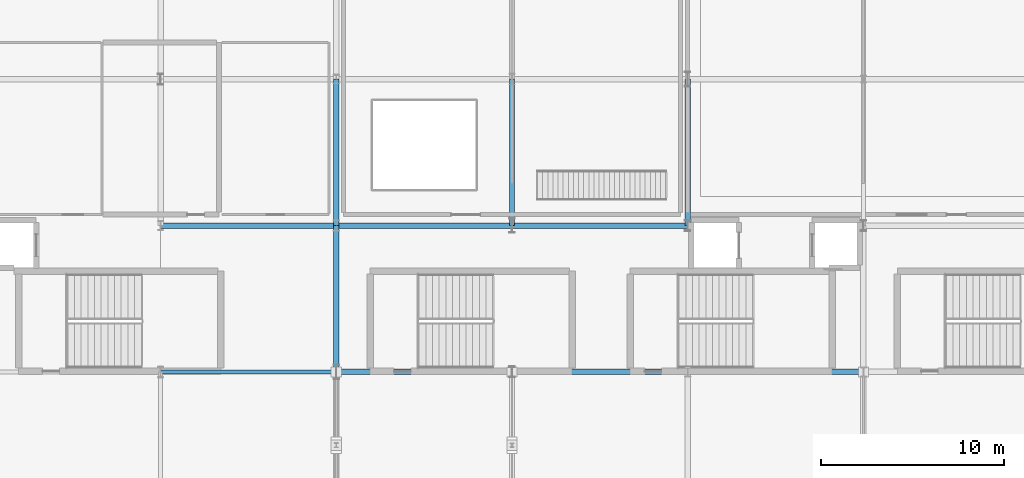
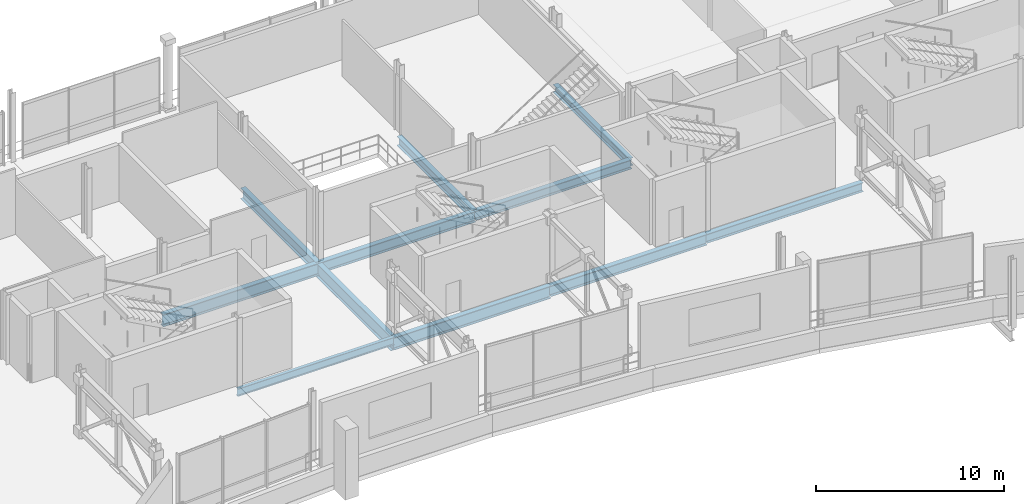
# One storey, part 38 of 193: 11 beams.
"""IFC4 building model written with IfcOpenShell, lengths in metres."""

import ifcopenshell
import ifcopenshell.guid

model = None  # the IFC model being written
_history = None  # IfcOwnerHistory: only IFC2X3 demands one
_inside = {}  # id of a spatial element -> (the spatial element, [elements in it])
_under = {}  # id of a project, library or spatial element -> (it, [spatial elements below it])
_declared = {}  # id of a project -> (the project, [libraries it declares])
_typed = {}  # id of a type object -> (the type object, [elements of that type])
_made_of = {}  # id of a material, layer set ... -> (it, [elements and type objects made of it])


def new_model(schema):
    """Start an empty IFC model of exactly this schema.

    Asked for "IFC4X3", IfcOpenShell would pick the latest addendum, in which some entities
    have other attributes; the version numbers below select the first issue.
    IFC2X3 requires an IfcOwnerHistory on every rooted entity: one is made here for all.
    """
    global model, _history
    if schema == "IFC4X3":
        model = ifcopenshell.file(schema_version=(4, 3, 0, 0))
    else:
        model = ifcopenshell.file(schema=schema)
    _inside.clear()
    _under.clear()
    _declared.clear()
    _typed.clear()
    _made_of.clear()
    _history = None
    if model.schema == "IFC2X3":
        org = make("IfcOrganization", Name="unknown")
        user = make(
            "IfcPersonAndOrganization",
            ThePerson=make("IfcPerson", FamilyName="unknown"),
            TheOrganization=org,
        )
        app = make(
            "IfcApplication",
            ApplicationDeveloper=org,
            Version="unknown",
            ApplicationFullName="unknown",
            ApplicationIdentifier="unknown",
        )
        _history = make(
            "IfcOwnerHistory",
            OwningUser=user,
            OwningApplication=app,
            ChangeAction="ADDED",
            CreationDate=0,
        )
    return model


def make(cls, **values):
    """One entity of the class cls with the attributes given. An attribute that is None is left unset."""
    return model.create_entity(
        cls, **{name: value for name, value in values.items() if value is not None}
    )


def rooted(cls, **values):
    """An entity with a GlobalId (a new one), such as an element, a storey or a relation."""
    return make(cls, GlobalId=ifcopenshell.guid.new(), OwnerHistory=_history, **values)


def si_unit(unit_type, name, prefix=None):
    """IfcSIUnit, for example si_unit("LENGTHUNIT", "METRE", prefix="MILLI")."""
    return make("IfcSIUnit", UnitType=unit_type, Prefix=prefix, Name=name)


def assignment(units):
    """IfcUnitAssignment: the units of a project."""
    return None if units is None else make("IfcUnitAssignment", Units=units)


def point(xyz):
    """IfcCartesianPoint."""
    return None if xyz is None else make("IfcCartesianPoint", Coordinates=xyz)


def direction(xyz):
    """IfcDirection."""
    return None if xyz is None else make("IfcDirection", DirectionRatios=xyz)


def frame(location, z_axis=None, x_axis=None):
    """IfcAxis2Placement3D, a coordinate frame: its origin and axes. An axis left out is left unset."""
    return make(
        "IfcAxis2Placement3D",
        Location=point(location),
        Axis=direction(z_axis),
        RefDirection=direction(x_axis),
    )


def frame_2d(location, x_axis=None):
    """IfcAxis2Placement2D, a coordinate frame in the plane: its origin and x axis."""
    return make(
        "IfcAxis2Placement2D", Location=point(location), RefDirection=direction(x_axis)
    )


def origin():
    """The frame at (0, 0, 0) with its axes left unset."""
    return frame((0.0, 0.0, 0.0))


def origin_2d():
    """The frame at (0, 0) in the plane with its x axis left unset."""
    return frame_2d((0.0, 0.0))


def place(relative_to, where):
    """IfcLocalPlacement: puts the frame where relative to a parent placement (None: the world)."""
    return make(
        "IfcLocalPlacement", PlacementRelTo=relative_to, RelativePlacement=where
    )


def context(
    kind, dimensions, precision=None, world=None, true_north=None, identifier=None
):
    """IfcGeometricRepresentationContext, for example the 3D "Model" context."""
    return make(
        "IfcGeometricRepresentationContext",
        ContextIdentifier=identifier,
        ContextType=kind,
        CoordinateSpaceDimension=dimensions,
        Precision=precision,
        WorldCoordinateSystem=world,
        TrueNorth=true_north,
    )


def subcontext(parent, identifier, kind, view, scale=None):
    """IfcGeometricRepresentationSubContext, for example "Body" below "Model"."""
    return make(
        "IfcGeometricRepresentationSubContext",
        ContextIdentifier=identifier,
        ContextType=kind,
        ParentContext=parent,
        TargetScale=scale,
        TargetView=view,
    )


def project(units=None, contexts=None):
    """IfcProject with its units and contexts."""
    return rooted(
        "IfcProject",
        Name="project",
        RepresentationContexts=contexts,
        UnitsInContext=assignment(units),
    )


def spatial(cls, under=None, at=None, **own):
    """A site, building, storey or space (cls), placed at a placement, below another one or the project."""
    s = rooted(cls, ObjectPlacement=at, **own)
    if under is not None:
        _under.setdefault(under.id(), (under, []))[1].append(s)
    return s


def profile(cls, at=None, kind="AREA", **sizes):
    """A parametric profile (cls). Its sizes go by their IFC names, for example OverallWidth=200.0."""
    return make(cls, ProfileType=kind, Position=at, **sizes)


def i_section(**sizes):
    """IfcIShapeProfileDef."""
    return profile("IfcIShapeProfileDef", **sizes)


def extrude(swept, where, along, depth):
    """IfcExtrudedAreaSolid: the profile swept, set in the frame where, extruded along a direction by depth."""
    return make(
        "IfcExtrudedAreaSolid",
        SweptArea=swept,
        Position=where,
        ExtrudedDirection=direction(along),
        Depth=depth,
    )


def shape(context_of_items, identifier, shape_type, items):
    """IfcShapeRepresentation: the items that make up one representation, for example the "Body"."""
    return make(
        "IfcShapeRepresentation",
        ContextOfItems=context_of_items,
        RepresentationIdentifier=identifier,
        RepresentationType=shape_type,
        Items=items,
    )


def material(Name=None, Category=None):
    """IfcMaterial."""
    return make("IfcMaterial", Name=Name, Category=Category)


def material_profile(
    of_material, cross_section, Name=None, Category=None, Priority=None
):
    """IfcMaterialProfile: a cross section and its material."""
    return make(
        "IfcMaterialProfile",
        Name=Name,
        Material=of_material,
        Profile=cross_section,
        Priority=Priority,
        Category=Category,
    )


def profile_set(profiles, Name=None, composite=None):
    """IfcMaterialProfileSet."""
    return make(
        "IfcMaterialProfileSet",
        Name=Name,
        MaterialProfiles=profiles,
        CompositeProfile=composite,
    )


def made_of(thing, what):
    """Note that an element or type object is made of a material, layer set ...; save() writes the relation."""
    if what is not None:
        _made_of.setdefault(what.id(), (what, []))[1].append(thing)
    return thing


def type_object(cls, material=None, **own):
    """A type object (cls), such as IfcWallType, which elements share."""
    return made_of(rooted(cls, **own), material)


def element(
    cls,
    number,
    at=None,
    inside=None,
    cuts=None,
    type_object=None,
    material=None,
    context=None,
    identifier="Body",
    shape_type=None,
    held_by="IfcProductDefinitionShape",
    body=None,
    shapes=None,
    **own,
):
    """One element of the class cls, such as IfcWall. Its Tag is "e" and its number.

    at: its placement. inside: the storey or other place that contains it. cuts: it is an
    opening in that element (IfcRelVoidsElement). A single representation is given by context,
    identifier, shape_type and body (its items); several are given by shapes. held_by: the class
    of the entity that holds the representations. save() writes the other relations.
    """
    e = rooted(cls, Tag="e%d" % number, ObjectPlacement=at, **own)
    if body is not None:
        shapes = [shape(context, identifier, shape_type, body)]
    if shapes is not None:
        e.Representation = make(held_by, Representations=shapes)
    if inside is not None:
        _inside.setdefault(inside.id(), (inside, []))[1].append(e)
    if cuts is not None:
        rooted(
            "IfcRelVoidsElement", RelatingBuildingElement=cuts, RelatedOpeningElement=e
        )
    if type_object is not None:
        _typed.setdefault(type_object.id(), (type_object, []))[1].append(e)
    return made_of(e, material)


def aggregate(whole, parts):
    """IfcRelAggregates: a whole, such as a stair, and the parts it consists of."""
    return rooted("IfcRelAggregates", RelatingObject=whole, RelatedObjects=parts)


def save(model, path):
    """Write the relations noted so far, then the file.

    IfcRelAggregates (storeys below a building ...), IfcRelContainedInSpatialStructure (elements
    in a storey), IfcRelDefinesByType, IfcRelAssociatesMaterial and IfcRelDeclares: one each for
    every whole, place, type object, material and project.
    """
    for whole, parts in _under.values():
        aggregate(whole, parts)
    for where, things in _inside.values():
        rooted(
            "IfcRelContainedInSpatialStructure",
            RelatedElements=things,
            RelatingStructure=where,
        )
    for kind, things in _typed.values():
        rooted("IfcRelDefinesByType", RelatedObjects=things, RelatingType=kind)
    for what, things in _made_of.values():
        rooted("IfcRelAssociatesMaterial", RelatedObjects=things, RelatingMaterial=what)
    for by, libraries in _declared.values():
        rooted("IfcRelDeclares", RelatingContext=by, RelatedDefinitions=libraries)
    model.write(path)


model = new_model("IFC4")

# Units and contexts
model_context = context("Model", 3, precision=1e-05, world=origin(), true_north=direction((0.0, 1.0)))
body_context = subcontext(model_context, "Body", "Model", "MODEL_VIEW")
ifc_project = project(units=[si_unit("LENGTHUNIT", "METRE"), si_unit("AREAUNIT", "SQUARE_METRE"), si_unit("VOLUMEUNIT", "CUBIC_METRE"), si_unit("PLANEANGLEUNIT", "RADIAN"), si_unit("MASSUNIT", "GRAM", prefix="KILO")], contexts=[model_context])

# Site, building, storey
site_placement = place(None, origin())
site = spatial("IfcSite", under=ifc_project, at=site_placement, CompositionType="ELEMENT")
building_placement = place(site_placement, origin())
building = spatial("IfcBuilding", under=site, at=building_placement, Name="Danafjord Basin Convention Centre", CompositionType="ELEMENT")
storey_placement = place(building_placement, frame((0.0, 0.0, 11.39990234375)))
storey = spatial("IfcBuildingStorey", under=building, at=storey_placement, Name="L02", CompositionType="ELEMENT", Elevation=11.39990234375)

# Beams
ifc_material = material(Name="Steel S355", Category="steel")
ifc_material_profile_1 = material_profile(ifc_material, i_section(OverallWidth=0.300048828125, OverallDepth=0.5, WebThickness=0.014404296875, FlangeThickness=0.028076171875, FilletRadius=0.027099609375, at=origin_2d()), Name="HEB 500")
ifc_profile_set_1 = profile_set([ifc_material_profile_1], Name="Steel S355")
beam_type_1 = type_object("IfcBeamType", Name="BEAM-BM-HEB500", PredefinedType="BEAM", material=ifc_profile_set_1)
beam_1_placement = place(storey_placement, frame((86.39990234375, 24.0, -0.5), z_axis=(0.0, 1.0, 0.0), x_axis=(-1.0, 0.0, 0.0)))
element("IfcBeam", 1, at=beam_1_placement, inside=storey, type_object=beam_type_1, Name="L02 transverse girder BM-HEB500", PredefinedType="BEAM", context=body_context, shape_type="SweptSolid", body=[
    extrude(i_section(OverallWidth=0.300048828125, OverallDepth=0.5, WebThickness=0.014404296875, FlangeThickness=0.028076171875, FilletRadius=0.027099609375, at=origin_2d()), origin(), (0.0, 0.0, 1.0), 8.0),
])
ifc_material_profile_2 = material_profile(ifc_material, i_section(OverallWidth=0.300048828125, OverallDepth=0.60009765625, WebThickness=0.015380859375, FlangeThickness=0.030029296875, FilletRadius=0.027099609375, at=origin_2d()), Name="HEB 600")
ifc_profile_set_2 = profile_set([ifc_material_profile_2], Name="Steel S355")
beam_type_2 = type_object("IfcBeamType", Name="BEAM-BM-HEB600", PredefinedType="BEAM", material=ifc_profile_set_2)
beam_2_placement = place(storey_placement, frame((76.800048828125, 24.0, -0.5498046875), z_axis=(1.0, 0.0, 0.0), x_axis=(0.0, 1.0, 0.0)))
element("IfcBeam", 2, at=beam_2_placement, inside=storey, type_object=beam_type_2, Name="L02 girder BM-HEB600", PredefinedType="BEAM", context=body_context, shape_type="SweptSolid", body=[
    extrude(i_section(OverallWidth=0.300048828125, OverallDepth=0.60009765625, WebThickness=0.015380859375, FlangeThickness=0.030029296875, FilletRadius=0.027099609375, at=origin_2d()), origin(), (0.0, 0.0, 1.0), 9.599853515625),
])
beam_3_placement = place(storey_placement, frame((86.39990234375, 16.0, -0.5498046875), z_axis=(1.0, 0.0, 0.0), x_axis=(0.0, 1.0, 0.0)))
element("IfcBeam", 3, at=beam_3_placement, inside=storey, type_object=beam_type_2, Name="L02 girder BM-HEB600", PredefinedType="BEAM", context=body_context, shape_type="SweptSolid", body=[
    extrude(i_section(OverallWidth=0.300048828125, OverallDepth=0.60009765625, WebThickness=0.015380859375, FlangeThickness=0.030029296875, FilletRadius=0.027099609375, at=origin_2d()), origin(), (0.0, 0.0, 1.0), 9.60009765625),
])
beam_4_placement = place(storey_placement, frame((76.800048828125, 24.0, -0.5498046875), z_axis=(0.0, 1.0, 0.0), x_axis=(-1.0, 0.0, 0.0)))
element("IfcBeam", 4, at=beam_4_placement, inside=storey, type_object=beam_type_2, Name="L02 transverse girder BM-HEB600", PredefinedType="BEAM", context=body_context, shape_type="SweptSolid", body=[
    extrude(i_section(OverallWidth=0.300048828125, OverallDepth=0.60009765625, WebThickness=0.015380859375, FlangeThickness=0.030029296875, FilletRadius=0.027099609375, at=origin_2d()), origin(), (0.0, 0.0, 1.0), 8.0),
])
ifc_material_profile_3 = material_profile(ifc_material, i_section(OverallWidth=0.300048828125, OverallDepth=0.699951171875, WebThickness=0.01708984375, FlangeThickness=0.031982421875, FilletRadius=0.027099609375, at=origin_2d()), Name="HEB 700")
ifc_profile_set_3 = profile_set([ifc_material_profile_3], Name="Steel S355")
beam_type_3 = type_object("IfcBeamType", Name="BEAM-BM-HEB700", PredefinedType="BEAM", material=ifc_profile_set_3)
beam_5_placement = place(storey_placement, frame((67.199951171875, 24.0, -0.599853515625), z_axis=(1.0, 0.0, 0.0), x_axis=(0.0, 1.0, 0.0)))
element("IfcBeam", 5, at=beam_5_placement, inside=storey, type_object=beam_type_3, Name="L02 girder BM-HEB700", PredefinedType="BEAM", context=body_context, shape_type="SweptSolid", body=[
    extrude(i_section(OverallWidth=0.300048828125, OverallDepth=0.699951171875, WebThickness=0.01708984375, FlangeThickness=0.031982421875, FilletRadius=0.027099609375, at=origin_2d()), origin(), (0.0, 0.0, 1.0), 9.60009765625),
])
beam_6_placement = place(storey_placement, frame((76.800048828125, 16.0, -0.599853515625), z_axis=(1.0, 0.0, 0.0), x_axis=(0.0, 1.0, 0.0)))
element("IfcBeam", 6, at=beam_6_placement, inside=storey, type_object=beam_type_3, Name="L02 girder BM-HEB700", PredefinedType="BEAM", context=body_context, shape_type="SweptSolid", body=[
    extrude(i_section(OverallWidth=0.300048828125, OverallDepth=0.699951171875, WebThickness=0.01708984375, FlangeThickness=0.031982421875, FilletRadius=0.027099609375, at=origin_2d()), origin(), (0.0, 0.0, 1.0), 9.599853515625),
])
beam_7_placement = place(storey_placement, frame((67.199951171875, 24.0, -0.599853515625), z_axis=(0.0, 1.0, 0.0), x_axis=(-1.0, 0.0, 0.0)))
element("IfcBeam", 7, at=beam_7_placement, inside=storey, type_object=beam_type_3, Name="L02 transverse girder BM-HEB700", PredefinedType="BEAM", context=body_context, shape_type="SweptSolid", body=[
    extrude(i_section(OverallWidth=0.300048828125, OverallDepth=0.699951171875, WebThickness=0.01708984375, FlangeThickness=0.031982421875, FilletRadius=0.027099609375, at=origin_2d()), origin(), (0.0, 0.0, 1.0), 8.0),
])
ifc_material_profile_4 = material_profile(ifc_material, i_section(OverallWidth=0.300048828125, OverallDepth=0.800048828125, WebThickness=0.017578125, FlangeThickness=0.032958984375, FilletRadius=0.030029296875, at=origin_2d()), Name="HEB 800")
ifc_profile_set_4 = profile_set([ifc_material_profile_4], Name="Steel S355")
beam_type_4 = type_object("IfcBeamType", Name="BEAM-BM-HEB800", PredefinedType="BEAM", material=ifc_profile_set_4)
beam_8_placement = place(storey_placement, frame((57.60009765625, 24.0, -0.64990234375), z_axis=(1.0, 0.0, 0.0), x_axis=(0.0, 1.0, 0.0)))
element("IfcBeam", 8, at=beam_8_placement, inside=storey, type_object=beam_type_4, Name="L02 girder BM-HEB800", PredefinedType="BEAM", context=body_context, shape_type="SweptSolid", body=[
    extrude(i_section(OverallWidth=0.300048828125, OverallDepth=0.800048828125, WebThickness=0.017578125, FlangeThickness=0.032958984375, FilletRadius=0.030029296875, at=origin_2d()), origin(), (0.0, 0.0, 1.0), 9.599853515625),
])
beam_9_placement = place(storey_placement, frame((67.199951171875, 16.0, -0.64990234375), z_axis=(1.0, 0.0, 0.0), x_axis=(0.0, 1.0, 0.0)))
element("IfcBeam", 9, at=beam_9_placement, inside=storey, type_object=beam_type_4, Name="L02 girder BM-HEB800", PredefinedType="BEAM", context=body_context, shape_type="SweptSolid", body=[
    extrude(i_section(OverallWidth=0.300048828125, OverallDepth=0.800048828125, WebThickness=0.017578125, FlangeThickness=0.032958984375, FilletRadius=0.030029296875, at=origin_2d()), origin(), (0.0, 0.0, 1.0), 9.60009765625),
])
ifc_material_profile_5 = material_profile(ifc_material, i_section(OverallWidth=0.300048828125, OverallDepth=0.89990234375, WebThickness=0.0185546875, FlangeThickness=0.034912109375, FilletRadius=0.030029296875, at=origin_2d()), Name="HEB 900")
ifc_profile_set_5 = profile_set([ifc_material_profile_5], Name="Steel S355")
beam_type_5 = type_object("IfcBeamType", Name="BEAM-BM-HEB900", PredefinedType="BEAM", material=ifc_profile_set_5)
beam_10_placement = place(storey_placement, frame((67.199951171875, 16.0, -0.699951171875), z_axis=(0.0, 1.0, 0.0), x_axis=(-1.0, 0.0, 0.0)))
element("IfcBeam", 10, at=beam_10_placement, inside=storey, type_object=beam_type_5, Name="L02 transverse girder BM-HEB900", PredefinedType="BEAM", context=body_context, shape_type="SweptSolid", body=[
    extrude(i_section(OverallWidth=0.300048828125, OverallDepth=0.89990234375, WebThickness=0.0185546875, FlangeThickness=0.034912109375, FilletRadius=0.030029296875, at=origin_2d()), origin(), (0.0, 0.0, 1.0), 8.0),
])
ifc_material_profile_6 = material_profile(ifc_material, i_section(OverallWidth=0.199951171875, OverallDepth=0.5, WebThickness=0.01025390625, FlangeThickness=0.01611328125, FilletRadius=0.02099609375, at=origin_2d()), Name="IPE 500")
ifc_profile_set_6 = profile_set([ifc_material_profile_6], Name="Steel S355")
beam_type_6 = type_object("IfcBeamType", Name="BEAM-BM-IPE500", PredefinedType="BEAM", material=ifc_profile_set_6)
beam_11_placement = place(storey_placement, frame((57.60009765625, 16.0, -0.5), z_axis=(1.0, 0.0, 0.0), x_axis=(0.0, 1.0, 0.0)))
element("IfcBeam", 11, at=beam_11_placement, inside=storey, type_object=beam_type_6, Name="L02 girder BM-IPE500", PredefinedType="BEAM", context=body_context, shape_type="SweptSolid", body=[
    extrude(i_section(OverallWidth=0.199951171875, OverallDepth=0.5, WebThickness=0.01025390625, FlangeThickness=0.01611328125, FilletRadius=0.02099609375, at=origin_2d()), origin(), (0.0, 0.0, 1.0), 9.599853515625),
])

save(model, "model.ifc")
